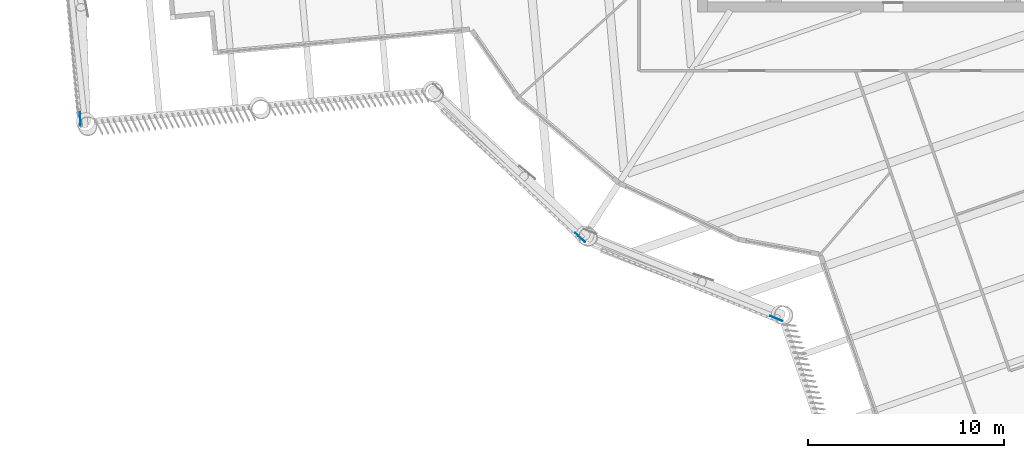
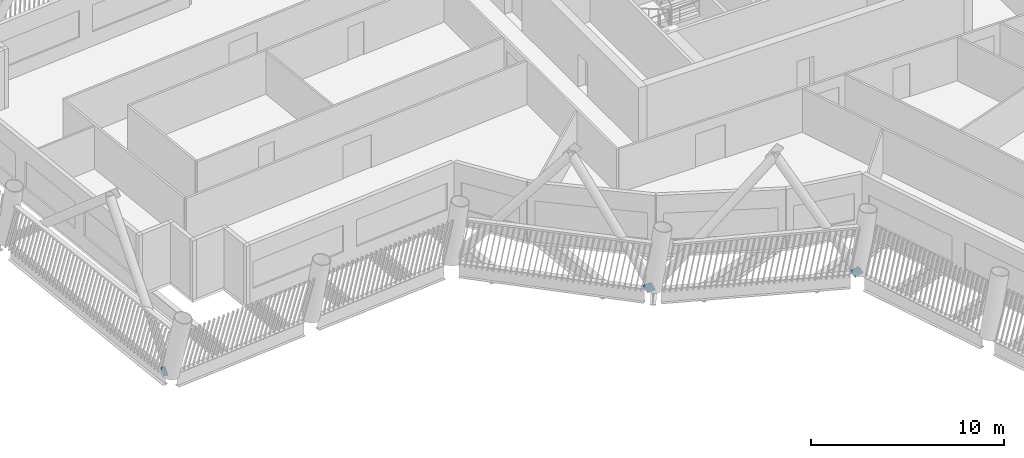
# One storey, part 12 of 23: 3 discrete accessories.
"""IFC4 building model written with IfcOpenShell, lengths in metres."""

from ifc_helpers import new_model, si_unit, direction, frame, origin, origin_2d, place, context, subcontext, project, spatial, rectangle, extrude, material, material_profile, profile_set, type_object, element, save


model = new_model("IFC4")

# Units and contexts
model_context = context("Model", 3, precision=1e-05, world=origin(), true_north=direction((0.0, 1.0)))
body_context = subcontext(model_context, "Body", "Model", "MODEL_VIEW")
ifc_project = project(units=[si_unit("LENGTHUNIT", "METRE"), si_unit("AREAUNIT", "SQUARE_METRE"), si_unit("VOLUMEUNIT", "CUBIC_METRE"), si_unit("PLANEANGLEUNIT", "RADIAN"), si_unit("MASSUNIT", "GRAM", prefix="KILO")], contexts=[model_context])

# Site, building, storey
site_placement = place(None, origin())
site = spatial("IfcSite", under=ifc_project, at=site_placement, CompositionType="ELEMENT")
building_placement = place(site_placement, origin())
building = spatial("IfcBuilding", under=site, at=building_placement, Name="Tarsis Ring Headquarters", CompositionType="ELEMENT")
storey_placement = place(building_placement, frame((0.0, 0.0, 308.0)))
storey = spatial("IfcBuildingStorey", under=building, at=storey_placement, Name="L72", CompositionType="ELEMENT", Elevation=308.0)

# Discrete accessories
ifc_material = material(Name="Structural steel S355", Category="steel")
ifc_material_profile = material_profile(ifc_material, rectangle(XDim=0.02490234375, YDim=0.5, at=origin_2d()), Name="PL 25x500")
ifc_profile_set = profile_set([ifc_material_profile], Name="Structural steel S355")
discrete_accessory_type = type_object("IfcDiscreteAccessoryType", Name="Gusset plate Exo brace 25", PredefinedType="BRACKET", material=ifc_profile_set)
for number, where, z_axis, x_axis, name in (
    (1, (-5.85791015625, -28.71875, 0.0), (-0.450587616643, 0.185019183865, 0.873349129117), (-0.379842284526, -0.925051262842, 0.0), "Gusset plate GP5"),
    (2, (-41.548828125, -18.62890625, 0.0), (-0.023930611445, 0.600218805432, 0.799477774201), (-0.999206145321, -0.039838162018, 0.0), "Gusset plate GP5"),
    (3, (-15.920166015625, -24.60986328125, 0.0), (-0.351532454729, 0.336885269115, 0.873460502098), (-0.691905363236, -0.721988205115, 0.0), "Gusset plate GP5"),
):
    element("IfcDiscreteAccessory", number, at=place(storey_placement, frame(where, z_axis=z_axis, x_axis=x_axis)), inside=storey, type_object=discrete_accessory_type, Name=name, PredefinedType="BRACKET", context=body_context, shape_type="SweptSolid", body=[
        extrude(rectangle(XDim=0.02490234375, YDim=0.5, at=origin_2d()), origin(), (0.0, 0.0, 1.0), 0.5),
    ])

save(model, "model.ifc")
